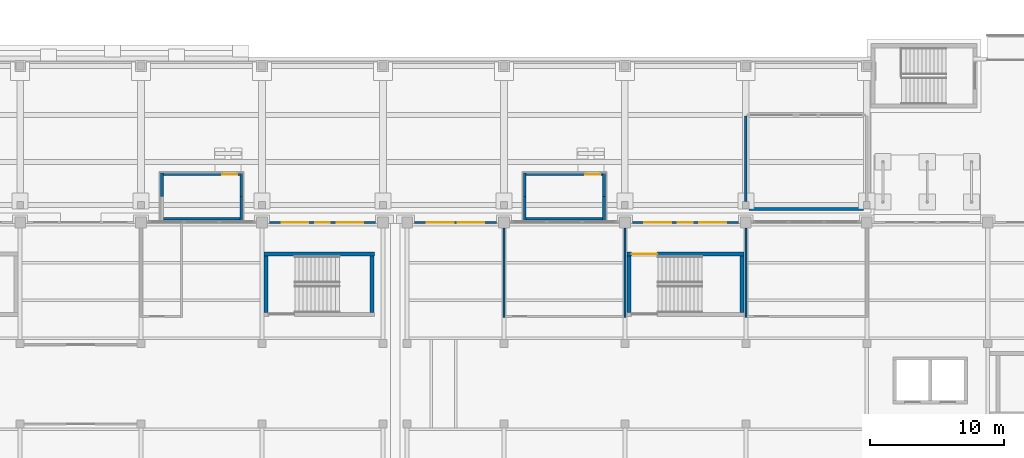
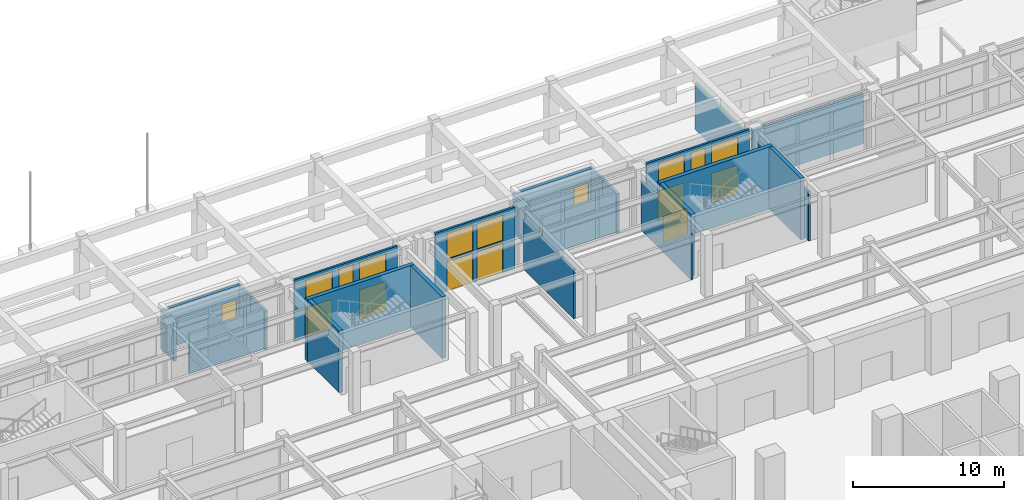
# One storey, part 50 of 77: 25 walls, 9 doors, 8 windows, 17 openings.
"""IFC4 building model written with IfcOpenShell, lengths in metres."""

from ifc_helpers import new_model, si_unit, direction, frame, frame_2d, origin, place, context, subcontext, project, spatial, rectangle, extrude, material, layer, layer_set, type_object, element, fill, save


model = new_model("IFC4")

# Units and contexts
model_context = context("Model", 3, precision=1e-05, world=origin(), true_north=direction((0.0, 1.0)))
body_context = subcontext(model_context, "Body", "Model", "MODEL_VIEW")
ifc_project = project(units=[si_unit("LENGTHUNIT", "METRE"), si_unit("AREAUNIT", "SQUARE_METRE"), si_unit("VOLUMEUNIT", "CUBIC_METRE"), si_unit("PLANEANGLEUNIT", "RADIAN"), si_unit("MASSUNIT", "GRAM", prefix="KILO")], contexts=[model_context])

# Site, building, storey
site_placement = place(None, origin())
site = spatial("IfcSite", under=ifc_project, at=site_placement, CompositionType="ELEMENT")
building_placement = place(site_placement, origin())
building = spatial("IfcBuilding", under=site, at=building_placement, Name="Aravalli Gate Trade Fair Centre", CompositionType="ELEMENT")
storey_placement = place(building_placement, origin())
storey = spatial("IfcBuildingStorey", under=building, at=storey_placement, Name="L00", CompositionType="ELEMENT", Elevation=0.0)

# Walls
ifc_material_1 = material(Name="Concrete block masonry", Category="masonry")
ifc_layer_1 = layer(ifc_material_1, 0.199951171875)
ifc_layer_set_1 = layer_set([ifc_layer_1], Name="Concrete block masonry")
wall_type_1 = type_object("IfcWallType", Name="Arcade rear wall 200", PredefinedType="STANDARD", material=ifc_layer_set_1)
wall_1_placement = place(storey_placement, frame((132.25, 134.0, 0.0), z_axis=(0.0, 0.0, 1.0), x_axis=(1.0, 0.0, 0.0)))
element("IfcWall", 1, at=wall_1_placement, inside=storey, type_object=wall_type_1, Name="Arcade rear wall info", PredefinedType="STANDARD", context=body_context, shape_type="SweptSolid", body=[
    extrude(rectangle(XDim=8.5, YDim=0.199951171875, at=frame_2d((4.25, 0.0))), origin(), (0.0, 0.0, 1.0), 4.050048828125),
])
wall_2_placement = place(storey_placement, frame((132.0, 134.550048828125, 0.0), z_axis=(0.0, 0.0, 1.0), x_axis=(0.0, 1.0, 0.0)))
element("IfcWall", 2, at=wall_2_placement, inside=storey, type_object=wall_type_1, Name="Arcade side wall info W", PredefinedType="STANDARD", context=body_context, shape_type="SweptSolid", body=[
    extrude(rectangle(XDim=6.369873046875, YDim=0.199951171875, at=frame_2d((3.18505859375, 0.0))), origin(), (0.0, 0.0, 1.0), 3.75),
])
ifc_material_2 = material(Name="Concrete M35", Category="concrete")
ifc_layer_2 = layer(ifc_material_2, 0.199951171875)
ifc_layer_set_2 = layer_set([ifc_layer_2], Name="Concrete M35")
wall_type_2 = type_object("IfcWallType", Name="Basement stair enclosure wall 200", PredefinedType="SOLIDWALL", material=ifc_layer_set_2)
wall_3_placement = place(storey_placement, frame((94.449951171875, 133.05908203125, 0.0), z_axis=(0.0, 0.0, 1.0), x_axis=(0.0, 1.0, 0.0)))
element("IfcWall", 3, at=wall_3_placement, inside=storey, type_object=wall_type_2, Name="Basement stair N3 enclosure wall L1 L00", PredefinedType="SOLIDWALL", context=body_context, shape_type="SweptSolid", body=[
    extrude(rectangle(XDim=1.870849609375, YDim=0.199951171875, at=frame_2d((0.935546875, 0.0))), origin(), (0.0, 0.0, 1.0), 3.199951171875),
])
for number, where, z_axis, x_axis, name in (
    (4, (94.449951171875, 134.929931640625, 0.0), (0.0, 0.0, 1.0), (0.0, 1.0, 0.0), "Basement stair N3 enclosure wall L2 L00"),
    (5, (88.550048828125, 134.929931640625, 0.0), (0.0, 0.0, 1.0), (0.0, 1.0, 0.0), "Basement stair N3 enclosure wall R2 L00"),
):
    element("IfcWall", number, at=place(storey_placement, frame(where, z_axis=z_axis, x_axis=x_axis)), inside=storey, type_object=wall_type_2, Name=name, PredefinedType="SOLIDWALL", context=body_context, shape_type="SweptSolid", body=[
        extrude(rectangle(XDim=1.75, YDim=0.199951171875, at=frame_2d((0.875, 0.0))), origin(), (0.0, 0.0, 1.0), 3.199951171875),
    ])

# Wall, opening, door
wall_4_placement = place(storey_placement, frame((94.35009765625, 136.580078125, 0.0), z_axis=(0.0, 0.0, 1.0), x_axis=(-1.0, 0.0, 0.0)))
wall_4 = element("IfcWall", 6, at=wall_4_placement, inside=storey, type_object=wall_type_2, Name="Basement stair N3 enclosure wall O L00", PredefinedType="SOLIDWALL", context=body_context, shape_type="SweptSolid", body=[
    extrude(rectangle(XDim=5.7001953125, YDim=0.199951171875, at=frame_2d((2.85009765625, 0.0))), origin(), (0.0, 0.0, 1.0), 3.199951171875),
])
opening_1_placement = place(wall_4_placement, frame((0.199951171875, 0.0, 0.0)))
opening_1 = element("IfcOpeningElement", 7, at=opening_1_placement, cuts=wall_4, Name="Opening B-L00-05", PredefinedType="OPENING", context=body_context, shape_type="SweptSolid", body=[
    extrude(rectangle(XDim=1.10009765625, YDim=2.10009765625, at=frame_2d((0.550048828125, 1.050048828125))), frame((0.0, 0.10986328125, 0.0), z_axis=(0.0, -1.0, 0.0), x_axis=(1.0, 0.0, 0.0)), (0.0, 0.0, 1.0), 0.219970703125),
])
ifc_material_3 = material(Name="Steel", Category="steel")
door_type_1 = type_object("IfcDoorType", Name="Basement stair door 1100x2100", OperationType="SINGLE_SWING_LEFT", PredefinedType="DOOR", material=ifc_material_3)
door_1_placement = place(opening_1_placement, frame((1.10009765625, 0.0, 0.0), z_axis=(0.0, 0.0, 1.0), x_axis=(-1.0, 0.0, 0.0)))
door_1 = element("IfcDoor", 8, at=door_1_placement, inside=storey, type_object=door_type_1, Name="Basement stair N3 discharge door", OperationType="SINGLE_SWING_RIGHT", OverallHeight=2.10009765625, OverallWidth=1.10009765625, PredefinedType="DOOR", context=body_context, shape_type="SweptSolid", body=[
    extrude(rectangle(XDim=1.10009765625, YDim=2.10009765625, at=frame_2d((0.550048828125, 1.050048828125))), frame((0.0, 0.02490234375, 0.0), z_axis=(0.0, -1.0, 0.0), x_axis=(1.0, 0.0, 0.0)), (0.0, 0.0, 1.0), 0.050048828125),
])
fill(opening_1, door_1)

# Walls
wall_5_placement = place(storey_placement, frame((94.35009765625, 133.280029296875, 0.0), z_axis=(0.0, 0.0, 1.0), x_axis=(-1.0, 0.0, 0.0)))
element("IfcWall", 9, at=wall_5_placement, inside=storey, type_object=wall_type_2, Name="Basement stair N3 enclosure wall I L00", PredefinedType="SOLIDWALL", context=body_context, shape_type="SweptSolid", body=[
    extrude(rectangle(XDim=5.7001953125, YDim=0.199951171875, at=frame_2d((2.85009765625, 0.0))), origin(), (0.0, 0.0, 1.0), 3.199951171875),
])
wall_6_placement = place(storey_placement, frame((121.449951171875, 133.05908203125, 0.0), z_axis=(0.0, 0.0, 1.0), x_axis=(0.0, 1.0, 0.0)))
element("IfcWall", 10, at=wall_6_placement, inside=storey, type_object=wall_type_2, Name="Basement stair N4 enclosure wall L1 L00", PredefinedType="SOLIDWALL", context=body_context, shape_type="SweptSolid", body=[
    extrude(rectangle(XDim=1.870849609375, YDim=0.199951171875, at=frame_2d((0.935546875, 0.0))), origin(), (0.0, 0.0, 1.0), 3.199951171875),
])
wall_7_placement = place(storey_placement, frame((121.449951171875, 134.929931640625, 0.0), z_axis=(0.0, 0.0, 1.0), x_axis=(0.0, 1.0, 0.0)))
element("IfcWall", 11, at=wall_7_placement, inside=storey, type_object=wall_type_2, Name="Basement stair N4 enclosure wall L2 L00", PredefinedType="SOLIDWALL", context=body_context, shape_type="SweptSolid", body=[
    extrude(rectangle(XDim=1.75, YDim=0.199951171875, at=frame_2d((0.875, 0.0))), origin(), (0.0, 0.0, 1.0), 3.199951171875),
])
wall_8_placement = place(storey_placement, frame((115.550048828125, 133.05908203125, 0.0), z_axis=(0.0, 0.0, 1.0), x_axis=(0.0, 1.0, 0.0)))
element("IfcWall", 12, at=wall_8_placement, inside=storey, type_object=wall_type_2, Name="Basement stair N4 enclosure wall R1 L00", PredefinedType="SOLIDWALL", context=body_context, shape_type="SweptSolid", body=[
    extrude(rectangle(XDim=1.870849609375, YDim=0.199951171875, at=frame_2d((0.935546875, 0.0))), origin(), (0.0, 0.0, 1.0), 3.199951171875),
])
wall_9_placement = place(storey_placement, frame((115.550048828125, 134.929931640625, 0.0), z_axis=(0.0, 0.0, 1.0), x_axis=(0.0, 1.0, 0.0)))
element("IfcWall", 13, at=wall_9_placement, inside=storey, type_object=wall_type_2, Name="Basement stair N4 enclosure wall R2 L00", PredefinedType="SOLIDWALL", context=body_context, shape_type="SweptSolid", body=[
    extrude(rectangle(XDim=1.75, YDim=0.199951171875, at=frame_2d((0.875, 0.0))), origin(), (0.0, 0.0, 1.0), 3.199951171875),
])

# Wall, opening, door
wall_10_placement = place(storey_placement, frame((121.35009765625, 136.580078125, 0.0), z_axis=(0.0, 0.0, 1.0), x_axis=(-1.0, 0.0, 0.0)))
wall_10 = element("IfcWall", 14, at=wall_10_placement, inside=storey, type_object=wall_type_2, Name="Basement stair N4 enclosure wall O L00", PredefinedType="SOLIDWALL", context=body_context, shape_type="SweptSolid", body=[
    extrude(rectangle(XDim=5.7001953125, YDim=0.199951171875, at=frame_2d((2.85009765625, 0.0))), origin(), (0.0, 0.0, 1.0), 3.199951171875),
])
opening_2_placement = place(wall_10_placement, frame((0.199951171875, 0.0, 0.0)))
opening_2 = element("IfcOpeningElement", 15, at=opening_2_placement, cuts=wall_10, Name="Opening B-L00-06", PredefinedType="OPENING", context=body_context, shape_type="SweptSolid", body=[
    extrude(rectangle(XDim=1.10009765625, YDim=2.10009765625, at=frame_2d((0.550048828125, 1.050048828125))), frame((0.0, 0.10986328125, 0.0), z_axis=(0.0, -1.0, 0.0), x_axis=(1.0, 0.0, 0.0)), (0.0, 0.0, 1.0), 0.219970703125),
])
door_2_placement = place(opening_2_placement, frame((1.10009765625, 0.0, 0.0), z_axis=(0.0, 0.0, 1.0), x_axis=(-1.0, 0.0, 0.0)))
door_2 = element("IfcDoor", 16, at=door_2_placement, inside=storey, type_object=door_type_1, Name="Basement stair N4 discharge door", OperationType="SINGLE_SWING_LEFT", OverallHeight=2.10009765625, OverallWidth=1.10009765625, PredefinedType="DOOR", context=body_context, shape_type="SweptSolid", body=[
    extrude(rectangle(XDim=1.10009765625, YDim=2.10009765625, at=frame_2d((0.550048828125, 1.050048828125))), frame((0.0, 0.02490234375, 0.0), z_axis=(0.0, -1.0, 0.0), x_axis=(1.0, 0.0, 0.0)), (0.0, 0.0, 1.0), 0.050048828125),
])
fill(opening_2, door_2)

# Wall
wall_11_placement = place(storey_placement, frame((121.35009765625, 133.280029296875, 0.0), z_axis=(0.0, 0.0, 1.0), x_axis=(-1.0, 0.0, 0.0)))
element("IfcWall", 17, at=wall_11_placement, inside=storey, type_object=wall_type_2, Name="Basement stair N4 enclosure wall I L00", PredefinedType="SOLIDWALL", context=body_context, shape_type="SweptSolid", body=[
    extrude(rectangle(XDim=5.7001953125, YDim=0.199951171875, at=frame_2d((2.85009765625, 0.0))), origin(), (0.0, 0.0, 1.0), 3.199951171875),
])

# Wall, openings, windows, doors
ifc_material_4 = material(Name="Aluminium frame with terracotta panels", Category="masonry")
ifc_layer_3 = layer(ifc_material_4, 0.159912109375)
ifc_layer_set_3 = layer_set([ifc_layer_3], Name="Aluminium frame with terracotta panels")
wall_type_3 = type_object("IfcWallType", Name="Entrance screen wall 160", PredefinedType="STANDARD", material=ifc_layer_set_3)
wall_12_placement = place(storey_placement, frame((96.550048828125, 133.0, 0.0), z_axis=(0.0, 0.0, 1.0), x_axis=(1.0, 0.0, 0.0)))
wall_12 = element("IfcWall", 18, at=wall_12_placement, inside=storey, type_object=wall_type_3, Name="Entrance screen wall bay 11", PredefinedType="STANDARD", context=body_context, shape_type="SweptSolid", body=[
    extrude(rectangle(XDim=7.89990234375, YDim=0.159912109375, at=frame_2d((3.949951171875, 0.0))), origin(), (0.0, 0.0, 1.0), 5.0),
])
opening_3_placement = place(wall_12_placement, frame((0.89990234375, 0.0, 0.0)))
opening_3 = element("IfcOpeningElement", 19, at=opening_3_placement, cuts=wall_12, Name="Opening C-L00-14", PredefinedType="OPENING", context=body_context, shape_type="SweptSolid", body=[
    extrude(rectangle(XDim=2.0, YDim=2.39990234375, at=frame_2d((1.0, 1.199951171875))), frame((0.0, 0.08984375, 0.0), z_axis=(0.0, -1.0, 0.0), x_axis=(1.0, 0.0, 0.0)), (0.0, 0.0, 1.0), 0.179931640625),
])
opening_4_placement = place(wall_12_placement, frame((0.89990234375, 0.0, 2.60009765625)))
opening_4 = element("IfcOpeningElement", 20, at=opening_4_placement, cuts=wall_12, Name="Opening WT1", PredefinedType="OPENING", context=body_context, shape_type="SweptSolid", body=[
    extrude(rectangle(XDim=2.0, YDim=2.10009765625, at=frame_2d((1.0, 1.050048828125))), frame((0.0, 0.08984375, 0.0), z_axis=(0.0, -1.0, 0.0), x_axis=(1.0, 0.0, 0.0)), (0.0, 0.0, 1.0), 0.179931640625),
])
opening_5_placement = place(wall_12_placement, frame((5.0, 0.0, 0.0)))
opening_5 = element("IfcOpeningElement", 21, at=opening_5_placement, cuts=wall_12, Name="Opening C-L00-15", PredefinedType="OPENING", context=body_context, shape_type="SweptSolid", body=[
    extrude(rectangle(XDim=2.0, YDim=2.39990234375, at=frame_2d((1.0, 1.199951171875))), frame((0.0, 0.08984375, 0.0), z_axis=(0.0, -1.0, 0.0), x_axis=(1.0, 0.0, 0.0)), (0.0, 0.0, 1.0), 0.179931640625),
])
opening_6_placement = place(wall_12_placement, frame((5.0, 0.0, 2.60009765625)))
opening_6 = element("IfcOpeningElement", 22, at=opening_6_placement, cuts=wall_12, Name="Opening WT1", PredefinedType="OPENING", context=body_context, shape_type="SweptSolid", body=[
    extrude(rectangle(XDim=2.0, YDim=2.10009765625, at=frame_2d((1.0, 1.050048828125))), frame((0.0, 0.08984375, 0.0), z_axis=(0.0, -1.0, 0.0), x_axis=(1.0, 0.0, 0.0)), (0.0, 0.0, 1.0), 0.179931640625),
])
opening_7_placement = place(wall_12_placement, frame((3.39990234375, 0.0, 0.89990234375)))
opening_7 = element("IfcOpeningElement", 23, at=opening_7_placement, cuts=wall_12, Name="Opening WT4", PredefinedType="OPENING", context=body_context, shape_type="SweptSolid", body=[
    extrude(rectangle(XDim=1.10009765625, YDim=3.800048828125, at=frame_2d((0.550048828125, 1.89990234375))), frame((0.0, 0.08984375, 0.0), z_axis=(0.0, -1.0, 0.0), x_axis=(1.0, 0.0, 0.0)), (0.0, 0.0, 1.0), 0.179931640625),
])
ifc_material_5 = material(Name="Aluminium and glass", Category="aluminium")
window_type_1 = type_object("IfcWindowType", Name="Entrance side light 1100 x 3800", PartitioningType="SINGLE_PANEL", PredefinedType="WINDOW", material=ifc_material_5)
window_1_placement = place(opening_7_placement, origin())
window_1 = element("IfcWindow", 24, at=window_1_placement, inside=storey, type_object=window_type_1, Name="Entrance side light bay 11", OverallHeight=3.800048828125, OverallWidth=1.10009765625, PartitioningType="SINGLE_PANEL", PredefinedType="WINDOW", context=body_context, shape_type="SweptSolid", body=[
    extrude(rectangle(XDim=1.10009765625, YDim=3.800048828125, at=frame_2d((0.550048828125, 1.89990234375))), frame((0.0, 0.030029296875, 0.0), z_axis=(0.0, -1.0, 0.0), x_axis=(1.0, 0.0, 0.0)), (0.0, 0.0, 1.0), 0.06005859375),
])
fill(opening_7, window_1)
window_type_2 = type_object("IfcWindowType", Name="Entrance transom light 2000 x 2100", PartitioningType="SINGLE_PANEL", PredefinedType="WINDOW", material=ifc_material_5)
window_2_placement = place(opening_4_placement, origin())
window_2 = element("IfcWindow", 25, at=window_2_placement, inside=storey, type_object=window_type_2, Name="Entrance transom light bay 11.1", OverallHeight=2.10009765625, OverallWidth=2.0, PartitioningType="SINGLE_PANEL", PredefinedType="WINDOW", context=body_context, shape_type="SweptSolid", body=[
    extrude(rectangle(XDim=2.0, YDim=2.10009765625, at=frame_2d((1.0, 1.050048828125))), frame((0.0, 0.030029296875, 0.0), z_axis=(0.0, -1.0, 0.0), x_axis=(1.0, 0.0, 0.0)), (0.0, 0.0, 1.0), 0.06005859375),
])
fill(opening_4, window_2)
window_3_placement = place(opening_6_placement, origin())
window_3 = element("IfcWindow", 26, at=window_3_placement, inside=storey, type_object=window_type_2, Name="Entrance transom light bay 11.2", OverallHeight=2.10009765625, OverallWidth=2.0, PartitioningType="SINGLE_PANEL", PredefinedType="WINDOW", context=body_context, shape_type="SweptSolid", body=[
    extrude(rectangle(XDim=2.0, YDim=2.10009765625, at=frame_2d((1.0, 1.050048828125))), frame((0.0, 0.030029296875, 0.0), z_axis=(0.0, -1.0, 0.0), x_axis=(1.0, 0.0, 0.0)), (0.0, 0.0, 1.0), 0.06005859375),
])
fill(opening_6, window_3)
door_type_2 = type_object("IfcDoorType", Name="Exit door, double leaf 2000 x 2400", OperationType="DOUBLE_DOOR_SINGLE_SWING", PredefinedType="NOTDEFINED", material=ifc_material_5)
door_3_placement = place(opening_3_placement, origin())
door_3 = element("IfcDoor", 27, at=door_3_placement, inside=storey, type_object=door_type_2, Name="Entrance door bay 11.1", OperationType="DOUBLE_DOOR_SINGLE_SWING", OverallHeight=2.39990234375, OverallWidth=2.0, PredefinedType="NOTDEFINED", context=body_context, shape_type="SweptSolid", body=[
    extrude(rectangle(XDim=2.0, YDim=2.39990234375, at=frame_2d((1.0, 1.199951171875))), frame((0.0, 0.02490234375, 0.0), z_axis=(0.0, -1.0, 0.0), x_axis=(1.0, 0.0, 0.0)), (0.0, 0.0, 1.0), 0.050048828125),
])
fill(opening_3, door_3)
door_4_placement = place(opening_5_placement, origin())
door_4 = element("IfcDoor", 28, at=door_4_placement, inside=storey, type_object=door_type_2, Name="Entrance door bay 11.2", OperationType="DOUBLE_DOOR_SINGLE_SWING", OverallHeight=2.39990234375, OverallWidth=2.0, PredefinedType="NOTDEFINED", context=body_context, shape_type="SweptSolid", body=[
    extrude(rectangle(XDim=2.0, YDim=2.39990234375, at=frame_2d((1.0, 1.199951171875))), frame((0.0, 0.02490234375, 0.0), z_axis=(0.0, -1.0, 0.0), x_axis=(1.0, 0.0, 0.0)), (0.0, 0.0, 1.0), 0.050048828125),
])
fill(opening_5, door_4)

wall_13_placement = place(storey_placement, frame((107.35009765625, 133.0, 0.0), z_axis=(0.0, 0.0, 1.0), x_axis=(1.0, 0.0, 0.0)))
wall_13 = element("IfcWall", 29, at=wall_13_placement, inside=storey, type_object=wall_type_3, Name="Entrance screen wall bay 13", PredefinedType="STANDARD", context=body_context, shape_type="SweptSolid", body=[
    extrude(rectangle(XDim=6.099853515625, YDim=0.159912109375, at=frame_2d((3.0498046875, 0.0))), origin(), (0.0, 0.0, 1.0), 5.0),
])
opening_8_placement = place(wall_13_placement, frame((0.89990234375, 0.0, 0.0)))
opening_8 = element("IfcOpeningElement", 30, at=opening_8_placement, cuts=wall_13, Name="Opening C-L00-16", PredefinedType="OPENING", context=body_context, shape_type="SweptSolid", body=[
    extrude(rectangle(XDim=2.0, YDim=2.39990234375, at=frame_2d((1.0, 1.199951171875))), frame((0.0, 0.08984375, 0.0), z_axis=(0.0, -1.0, 0.0), x_axis=(1.0, 0.0, 0.0)), (0.0, 0.0, 1.0), 0.179931640625),
])
opening_9_placement = place(wall_13_placement, frame((0.89990234375, 0.0, 2.60009765625)))
opening_9 = element("IfcOpeningElement", 31, at=opening_9_placement, cuts=wall_13, Name="Opening WT1", PredefinedType="OPENING", context=body_context, shape_type="SweptSolid", body=[
    extrude(rectangle(XDim=2.0, YDim=2.10009765625, at=frame_2d((1.0, 1.050048828125))), frame((0.0, 0.08984375, 0.0), z_axis=(0.0, -1.0, 0.0), x_axis=(1.0, 0.0, 0.0)), (0.0, 0.0, 1.0), 0.179931640625),
])
opening_10_placement = place(wall_13_placement, frame((3.199951171875, 0.0, 0.0)))
opening_10 = element("IfcOpeningElement", 32, at=opening_10_placement, cuts=wall_13, Name="Opening C-L00-17", PredefinedType="OPENING", context=body_context, shape_type="SweptSolid", body=[
    extrude(rectangle(XDim=2.0, YDim=2.39990234375, at=frame_2d((1.0, 1.199951171875))), frame((0.0, 0.08984375, 0.0), z_axis=(0.0, -1.0, 0.0), x_axis=(1.0, 0.0, 0.0)), (0.0, 0.0, 1.0), 0.179931640625),
])
opening_11_placement = place(wall_13_placement, frame((3.199951171875, 0.0, 2.60009765625)))
opening_11 = element("IfcOpeningElement", 33, at=opening_11_placement, cuts=wall_13, Name="Opening WT1", PredefinedType="OPENING", context=body_context, shape_type="SweptSolid", body=[
    extrude(rectangle(XDim=2.0, YDim=2.10009765625, at=frame_2d((1.0, 1.050048828125))), frame((0.0, 0.08984375, 0.0), z_axis=(0.0, -1.0, 0.0), x_axis=(1.0, 0.0, 0.0)), (0.0, 0.0, 1.0), 0.179931640625),
])
window_4_placement = place(opening_9_placement, origin())
window_4 = element("IfcWindow", 34, at=window_4_placement, inside=storey, type_object=window_type_2, Name="Entrance transom light bay 13.1", OverallHeight=2.10009765625, OverallWidth=2.0, PartitioningType="SINGLE_PANEL", PredefinedType="WINDOW", context=body_context, shape_type="SweptSolid", body=[
    extrude(rectangle(XDim=2.0, YDim=2.10009765625, at=frame_2d((1.0, 1.050048828125))), frame((0.0, 0.030029296875, 0.0), z_axis=(0.0, -1.0, 0.0), x_axis=(1.0, 0.0, 0.0)), (0.0, 0.0, 1.0), 0.06005859375),
])
fill(opening_9, window_4)
window_5_placement = place(opening_11_placement, origin())
window_5 = element("IfcWindow", 35, at=window_5_placement, inside=storey, type_object=window_type_2, Name="Entrance transom light bay 13.2", OverallHeight=2.10009765625, OverallWidth=2.0, PartitioningType="SINGLE_PANEL", PredefinedType="WINDOW", context=body_context, shape_type="SweptSolid", body=[
    extrude(rectangle(XDim=2.0, YDim=2.10009765625, at=frame_2d((1.0, 1.050048828125))), frame((0.0, 0.030029296875, 0.0), z_axis=(0.0, -1.0, 0.0), x_axis=(1.0, 0.0, 0.0)), (0.0, 0.0, 1.0), 0.06005859375),
])
fill(opening_11, window_5)
door_5_placement = place(opening_8_placement, origin())
door_5 = element("IfcDoor", 36, at=door_5_placement, inside=storey, type_object=door_type_2, Name="Entrance door bay 13.1", OperationType="DOUBLE_DOOR_SINGLE_SWING", OverallHeight=2.39990234375, OverallWidth=2.0, PredefinedType="NOTDEFINED", context=body_context, shape_type="SweptSolid", body=[
    extrude(rectangle(XDim=2.0, YDim=2.39990234375, at=frame_2d((1.0, 1.199951171875))), frame((0.0, 0.02490234375, 0.0), z_axis=(0.0, -1.0, 0.0), x_axis=(1.0, 0.0, 0.0)), (0.0, 0.0, 1.0), 0.050048828125),
])
fill(opening_8, door_5)
door_6_placement = place(opening_10_placement, origin())
door_6 = element("IfcDoor", 37, at=door_6_placement, inside=storey, type_object=door_type_2, Name="Entrance door bay 13.2", OperationType="DOUBLE_DOOR_SINGLE_SWING", OverallHeight=2.39990234375, OverallWidth=2.0, PredefinedType="NOTDEFINED", context=body_context, shape_type="SweptSolid", body=[
    extrude(rectangle(XDim=2.0, YDim=2.39990234375, at=frame_2d((1.0, 1.199951171875))), frame((0.0, 0.02490234375, 0.0), z_axis=(0.0, -1.0, 0.0), x_axis=(1.0, 0.0, 0.0)), (0.0, 0.0, 1.0), 0.050048828125),
])
fill(opening_10, door_6)

wall_14_placement = place(storey_placement, frame((123.550048828125, 133.0, 0.0), z_axis=(0.0, 0.0, 1.0), x_axis=(1.0, 0.0, 0.0)))
wall_14 = element("IfcWall", 38, at=wall_14_placement, inside=storey, type_object=wall_type_3, Name="Entrance screen wall bay 15", PredefinedType="STANDARD", context=body_context, shape_type="SweptSolid", body=[
    extrude(rectangle(XDim=7.89990234375, YDim=0.159912109375, at=frame_2d((3.949951171875, 0.0))), origin(), (0.0, 0.0, 1.0), 5.0),
])
opening_12_placement = place(wall_14_placement, frame((0.89990234375, 0.0, 0.0)))
opening_12 = element("IfcOpeningElement", 39, at=opening_12_placement, cuts=wall_14, Name="Opening C-L00-18", PredefinedType="OPENING", context=body_context, shape_type="SweptSolid", body=[
    extrude(rectangle(XDim=2.0, YDim=2.39990234375, at=frame_2d((1.0, 1.199951171875))), frame((0.0, 0.08984375, 0.0), z_axis=(0.0, -1.0, 0.0), x_axis=(1.0, 0.0, 0.0)), (0.0, 0.0, 1.0), 0.179931640625),
])
opening_13_placement = place(wall_14_placement, frame((0.89990234375, 0.0, 2.60009765625)))
opening_13 = element("IfcOpeningElement", 40, at=opening_13_placement, cuts=wall_14, Name="Opening WT1", PredefinedType="OPENING", context=body_context, shape_type="SweptSolid", body=[
    extrude(rectangle(XDim=2.0, YDim=2.10009765625, at=frame_2d((1.0, 1.050048828125))), frame((0.0, 0.08984375, 0.0), z_axis=(0.0, -1.0, 0.0), x_axis=(1.0, 0.0, 0.0)), (0.0, 0.0, 1.0), 0.179931640625),
])
opening_14_placement = place(wall_14_placement, frame((5.0, 0.0, 0.0)))
opening_14 = element("IfcOpeningElement", 41, at=opening_14_placement, cuts=wall_14, Name="Opening C-L00-19", PredefinedType="OPENING", context=body_context, shape_type="SweptSolid", body=[
    extrude(rectangle(XDim=2.0, YDim=2.39990234375, at=frame_2d((1.0, 1.199951171875))), frame((0.0, 0.08984375, 0.0), z_axis=(0.0, -1.0, 0.0), x_axis=(1.0, 0.0, 0.0)), (0.0, 0.0, 1.0), 0.179931640625),
])
opening_15_placement = place(wall_14_placement, frame((5.0, 0.0, 2.60009765625)))
opening_15 = element("IfcOpeningElement", 42, at=opening_15_placement, cuts=wall_14, Name="Opening WT1", PredefinedType="OPENING", context=body_context, shape_type="SweptSolid", body=[
    extrude(rectangle(XDim=2.0, YDim=2.10009765625, at=frame_2d((1.0, 1.050048828125))), frame((0.0, 0.08984375, 0.0), z_axis=(0.0, -1.0, 0.0), x_axis=(1.0, 0.0, 0.0)), (0.0, 0.0, 1.0), 0.179931640625),
])
opening_16_placement = place(wall_14_placement, frame((3.39990234375, 0.0, 0.89990234375)))
opening_16 = element("IfcOpeningElement", 43, at=opening_16_placement, cuts=wall_14, Name="Opening WT4", PredefinedType="OPENING", context=body_context, shape_type="SweptSolid", body=[
    extrude(rectangle(XDim=1.10009765625, YDim=3.800048828125, at=frame_2d((0.550048828125, 1.89990234375))), frame((0.0, 0.08984375, 0.0), z_axis=(0.0, -1.0, 0.0), x_axis=(1.0, 0.0, 0.0)), (0.0, 0.0, 1.0), 0.179931640625),
])
window_6_placement = place(opening_16_placement, origin())
window_6 = element("IfcWindow", 44, at=window_6_placement, inside=storey, type_object=window_type_1, Name="Entrance side light bay 15", OverallHeight=3.800048828125, OverallWidth=1.10009765625, PartitioningType="SINGLE_PANEL", PredefinedType="WINDOW", context=body_context, shape_type="SweptSolid", body=[
    extrude(rectangle(XDim=1.10009765625, YDim=3.800048828125, at=frame_2d((0.550048828125, 1.89990234375))), frame((0.0, 0.030029296875, 0.0), z_axis=(0.0, -1.0, 0.0), x_axis=(1.0, 0.0, 0.0)), (0.0, 0.0, 1.0), 0.06005859375),
])
fill(opening_16, window_6)
window_7_placement = place(opening_13_placement, origin())
window_7 = element("IfcWindow", 45, at=window_7_placement, inside=storey, type_object=window_type_2, Name="Entrance transom light bay 15.1", OverallHeight=2.10009765625, OverallWidth=2.0, PartitioningType="SINGLE_PANEL", PredefinedType="WINDOW", context=body_context, shape_type="SweptSolid", body=[
    extrude(rectangle(XDim=2.0, YDim=2.10009765625, at=frame_2d((1.0, 1.050048828125))), frame((0.0, 0.030029296875, 0.0), z_axis=(0.0, -1.0, 0.0), x_axis=(1.0, 0.0, 0.0)), (0.0, 0.0, 1.0), 0.06005859375),
])
fill(opening_13, window_7)
window_8_placement = place(opening_15_placement, origin())
window_8 = element("IfcWindow", 46, at=window_8_placement, inside=storey, type_object=window_type_2, Name="Entrance transom light bay 15.2", OverallHeight=2.10009765625, OverallWidth=2.0, PartitioningType="SINGLE_PANEL", PredefinedType="WINDOW", context=body_context, shape_type="SweptSolid", body=[
    extrude(rectangle(XDim=2.0, YDim=2.10009765625, at=frame_2d((1.0, 1.050048828125))), frame((0.0, 0.030029296875, 0.0), z_axis=(0.0, -1.0, 0.0), x_axis=(1.0, 0.0, 0.0)), (0.0, 0.0, 1.0), 0.06005859375),
])
fill(opening_15, window_8)
door_7_placement = place(opening_12_placement, origin())
door_7 = element("IfcDoor", 47, at=door_7_placement, inside=storey, type_object=door_type_2, Name="Entrance door bay 15.1", OperationType="DOUBLE_DOOR_SINGLE_SWING", OverallHeight=2.39990234375, OverallWidth=2.0, PredefinedType="NOTDEFINED", context=body_context, shape_type="SweptSolid", body=[
    extrude(rectangle(XDim=2.0, YDim=2.39990234375, at=frame_2d((1.0, 1.199951171875))), frame((0.0, 0.02490234375, 0.0), z_axis=(0.0, -1.0, 0.0), x_axis=(1.0, 0.0, 0.0)), (0.0, 0.0, 1.0), 0.050048828125),
])
fill(opening_12, door_7)
door_8_placement = place(opening_14_placement, origin())
door_8 = element("IfcDoor", 48, at=door_8_placement, inside=storey, type_object=door_type_2, Name="Entrance door bay 15.2", OperationType="DOUBLE_DOOR_SINGLE_SWING", OverallHeight=2.39990234375, OverallWidth=2.0, PredefinedType="NOTDEFINED", context=body_context, shape_type="SweptSolid", body=[
    extrude(rectangle(XDim=2.0, YDim=2.39990234375, at=frame_2d((1.0, 1.199951171875))), frame((0.0, 0.02490234375, 0.0), z_axis=(0.0, -1.0, 0.0), x_axis=(1.0, 0.0, 0.0)), (0.0, 0.0, 1.0), 0.050048828125),
])
fill(opening_14, door_8)

# Walls
ifc_material_6 = material(Name="Gypsum board")
ifc_layer_4 = layer(ifc_material_6, 0.02490234375, Name="Gypsum board lining")
ifc_material_7 = material(Name="Galvanised stud framing")
ifc_layer_5 = layer(ifc_material_7, 0.10009765625, Name="Stud framing")
ifc_layer_6 = layer(ifc_material_6, 0.02490234375, Name="Gypsum board lining")
ifc_layer_set_4 = layer_set([ifc_layer_4, ifc_layer_5, ifc_layer_6], Name="Partition wall 150")
wall_type_4 = type_object("IfcWallType", Name="Partition wall 150", PredefinedType="PARTITIONING", material=ifc_layer_set_4)
for number, where, z_axis, x_axis, name in (
    (49, (114.0, 125.925048828125, 0.0), (0.0, 0.0, 1.0), (0.0, 1.0, 0.0), "Partition 11400 L00"),
    (50, (123.0, 125.925048828125, 0.0), (0.0, 0.0, 1.0), (0.0, 1.0, 0.0), "Partition 12300 L00"),
    (51, (132.0, 125.925048828125, 0.0), (0.0, 0.0, 1.0), (0.0, 1.0, 0.0), "Partition 13200 L00"),
):
    element("IfcWall", number, at=place(storey_placement, frame(where, z_axis=z_axis, x_axis=x_axis)), inside=storey, type_object=wall_type_4, Name=name, PredefinedType="PARTITIONING", context=body_context, shape_type="SweptSolid", body=[
        extrude(rectangle(XDim=6.675048828125, YDim=0.14990234375, at=frame_2d((3.33740234375, 0.0))), origin(), (0.0, 0.0, 1.0), 4.0),
    ])
ifc_material_8 = material(Name="Concrete M40", Category="concrete")
ifc_layer_7 = layer(ifc_material_8, 0.300048828125)
ifc_layer_set_5 = layer_set([ifc_layer_7], Name="Concrete M40")
wall_type_5 = type_object("IfcWallType", Name="RC core wall 300", PredefinedType="SHEAR", material=ifc_layer_set_5)
wall_15_placement = place(storey_placement, frame((96.14990234375, 130.64990234375, 0.0), z_axis=(0.0, 0.0, 1.0), x_axis=(1.0, 0.0, 0.0)))
element("IfcWall", 52, at=wall_15_placement, inside=storey, type_object=wall_type_5, Name="Core wall XDN L00", PredefinedType="SHEAR", context=body_context, shape_type="SweptSolid", body=[
    extrude(rectangle(XDim=8.2001953125, YDim=0.300048828125, at=frame_2d((4.10009765625, 0.0))), origin(), (0.0, 0.0, 1.0), 5.0),
])
for number, where, z_axis, x_axis, name in (
    (53, (96.300048828125, 126.300048828125, 0.0), (0.0, 0.0, 1.0), (0.0, 1.0, 0.0), "Core wall XDW L00"),
    (54, (104.199951171875, 126.300048828125, 0.0), (0.0, 0.0, 1.0), (0.0, 1.0, 0.0), "Core wall XDE L00"),
):
    element("IfcWall", number, at=place(storey_placement, frame(where, z_axis=z_axis, x_axis=x_axis)), inside=storey, type_object=wall_type_5, Name=name, PredefinedType="SHEAR", context=body_context, shape_type="SweptSolid", body=[
        extrude(rectangle(XDim=4.199951171875, YDim=0.300048828125, at=frame_2d((2.10009765625, 0.0))), origin(), (0.0, 0.0, 1.0), 5.0),
    ])

# Wall, opening, door
wall_16_placement = place(storey_placement, frame((123.14990234375, 130.64990234375, 0.0), z_axis=(0.0, 0.0, 1.0), x_axis=(1.0, 0.0, 0.0)))
wall_16 = element("IfcWall", 55, at=wall_16_placement, inside=storey, type_object=wall_type_5, Name="Core wall XEN L00", PredefinedType="SHEAR", context=body_context, shape_type="SweptSolid", body=[
    extrude(rectangle(XDim=8.7001953125, YDim=0.300048828125, at=frame_2d((4.35009765625, 0.0))), origin(), (0.0, 0.0, 1.0), 5.0),
])
opening_17_placement = place(wall_16_placement, frame((0.35009765625, 0.0, 0.0)))
opening_17 = element("IfcOpeningElement", 56, at=opening_17_placement, cuts=wall_16, Name="Opening C-L00-43", PredefinedType="OPENING", context=body_context, shape_type="SweptSolid", body=[
    extrude(rectangle(XDim=1.89990234375, YDim=2.10009765625, at=frame_2d((0.949951171875, 1.050048828125))), frame((0.0, 0.159912109375, 0.0), z_axis=(0.0, -1.0, 0.0), x_axis=(1.0, 0.0, 0.0)), (0.0, 0.0, 1.0), 0.320068359375),
])
ifc_material_9 = material(Name="Steel, fire rated", Category="steel")
door_type_3 = type_object("IfcDoorType", Name="Concourse stair door 1900 x 2100", OperationType="DOUBLE_DOOR_SINGLE_SWING", PredefinedType="NOTDEFINED", material=ifc_material_9)
door_9_placement = place(opening_17_placement, origin())
door_9 = element("IfcDoor", 57, at=door_9_placement, inside=storey, type_object=door_type_3, Name="Stair discharge door XE L00", OperationType="DOUBLE_DOOR_SINGLE_SWING", OverallHeight=2.10009765625, OverallWidth=1.89990234375, PredefinedType="NOTDEFINED", context=body_context, shape_type="SweptSolid", body=[
    extrude(rectangle(XDim=1.89990234375, YDim=2.10009765625, at=frame_2d((0.949951171875, 1.050048828125))), frame((0.0, 0.02490234375, 0.0), z_axis=(0.0, -1.0, 0.0), x_axis=(1.0, 0.0, 0.0)), (0.0, 0.0, 1.0), 0.050048828125),
])
fill(opening_17, door_9)

# Walls
for number, where, z_axis, x_axis, name in (
    (58, (123.300048828125, 126.300048828125, 0.0), (0.0, 0.0, 1.0), (0.0, 1.0, 0.0), "Core wall XEW L00"),
    (59, (131.699951171875, 126.300048828125, 0.0), (0.0, 0.0, 1.0), (0.0, 1.0, 0.0), "Core wall XEE L00"),
):
    element("IfcWall", number, at=place(storey_placement, frame(where, z_axis=z_axis, x_axis=x_axis)), inside=storey, type_object=wall_type_5, Name=name, PredefinedType="SHEAR", context=body_context, shape_type="SweptSolid", body=[
        extrude(rectangle(XDim=4.199951171875, YDim=0.300048828125, at=frame_2d((2.10009765625, 0.0))), origin(), (0.0, 0.0, 1.0), 5.0),
    ])

save(model, "model.ifc")
